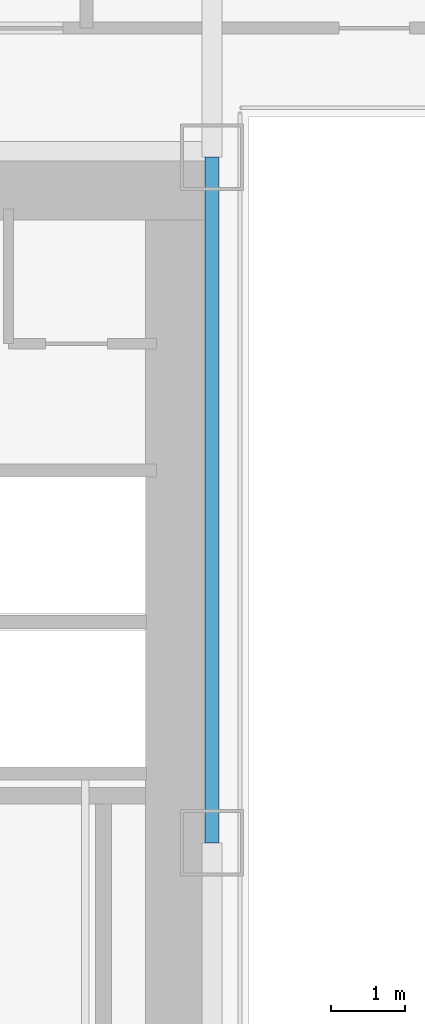
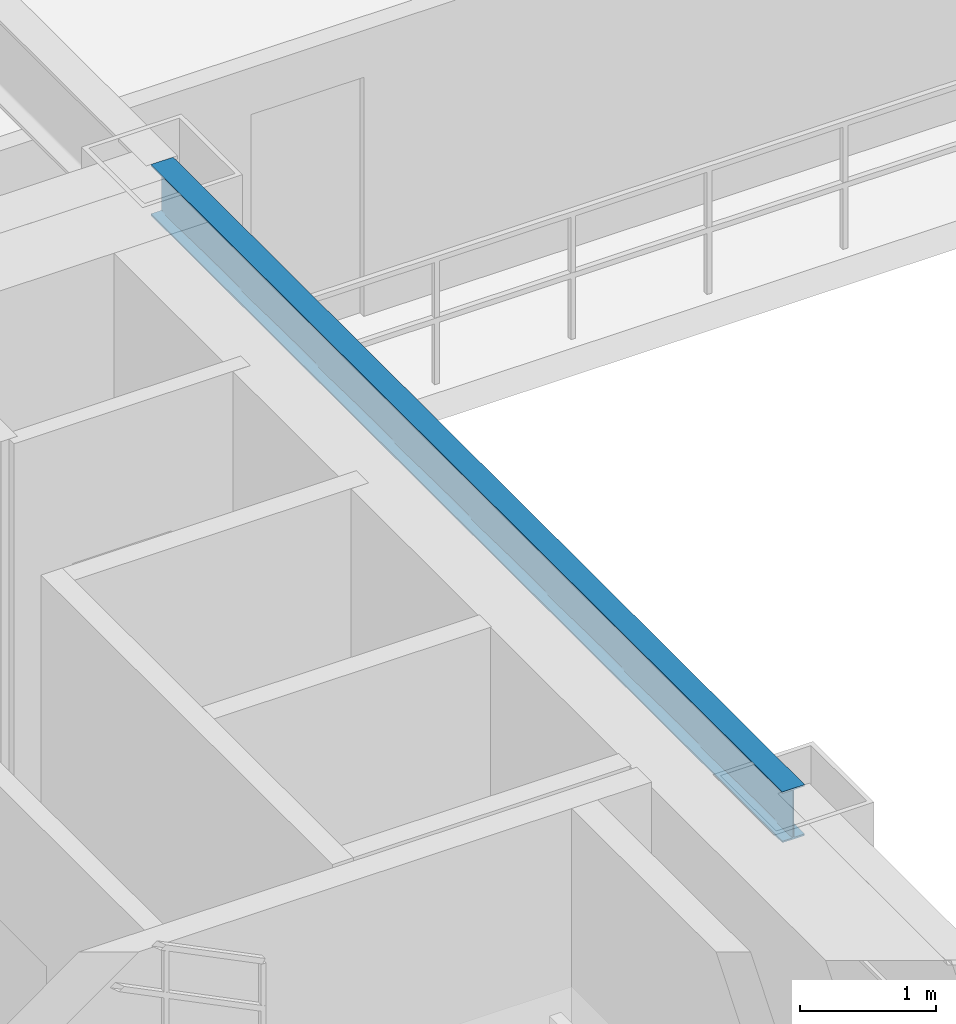
# One storey, part 9 of 35: 1 beam.
"""IFC4 building model written with IfcOpenShell, lengths in metres."""

from ifc_helpers import new_model, si_unit, direction, frame, origin, origin_2d, place, context, subcontext, project, spatial, i_section, extrude, source, transform, mapped, material, material_profile, profile_set, type_object, element, save


model = new_model("IFC4")

# Units and contexts
model_context = context("Model", 3, precision=1e-05, world=origin(), true_north=direction((0.0, 1.0)))
body_context = subcontext(model_context, "Body", "Model", "MODEL_VIEW")
ifc_project = project(units=[si_unit("LENGTHUNIT", "METRE"), si_unit("AREAUNIT", "SQUARE_METRE"), si_unit("VOLUMEUNIT", "CUBIC_METRE"), si_unit("PLANEANGLEUNIT", "RADIAN"), si_unit("MASSUNIT", "GRAM", prefix="KILO")], contexts=[model_context])

# Site, building, storey
site_placement = place(None, origin())
site = spatial("IfcSite", under=ifc_project, at=site_placement, CompositionType="ELEMENT")
building_placement = place(site_placement, origin())
building = spatial("IfcBuilding", under=site, at=building_placement, Name="Ocotamira Hotel", CompositionType="ELEMENT")
storey_placement = place(building_placement, frame((0.0, 0.0, 63.60009765625)))
storey = spatial("IfcBuildingStorey", under=building, at=storey_placement, Name="L15", CompositionType="ELEMENT", Elevation=63.60009765625)

# Beam
ifc_material = material(Name="Steel ASTM A992 Grade 50", Category="steel")
ifc_material_profile = material_profile(ifc_material, i_section(OverallWidth=0.18994140625, OverallDepth=0.45703125, WebThickness=0.009033203125, FlangeThickness=0.014404296875, FilletRadius=0.010009765625, at=origin_2d()), Name="W18X50")
ifc_profile_set = profile_set([ifc_material_profile], Name="Steel ASTM A992 Grade 50")
beam_type = type_object("IfcBeamType", Name="BM-SEC-W18X50", PredefinedType="JOIST", material=ifc_profile_set)
shared_shape = source(origin(), body_context, "Body", "SweptSolid", [
    extrude(i_section(OverallWidth=0.18994140625, OverallDepth=0.45703125, WebThickness=0.009033203125, FlangeThickness=0.014404296875, FilletRadius=0.010009765625, at=origin_2d()), origin(), (0.0, 0.0, 1.0), 9.300048828125),
])
beam_placement = place(storey_placement, frame((23.5, 28.14990234375, 3.121337890625), z_axis=(0.0, 1.0, 0.0), x_axis=(-1.0, 0.0, 0.0)))
element("IfcBeam", 1, at=beam_placement, inside=storey, type_object=beam_type, Name="L15 Beam X23.5 Y28.15-37.45", PredefinedType="JOIST", context=body_context, shape_type="MappedRepresentation", body=[
    mapped(shared_shape, transform((0.0, 0.0, 0.0), scale=1.0)),
])

save(model, "model.ifc")
